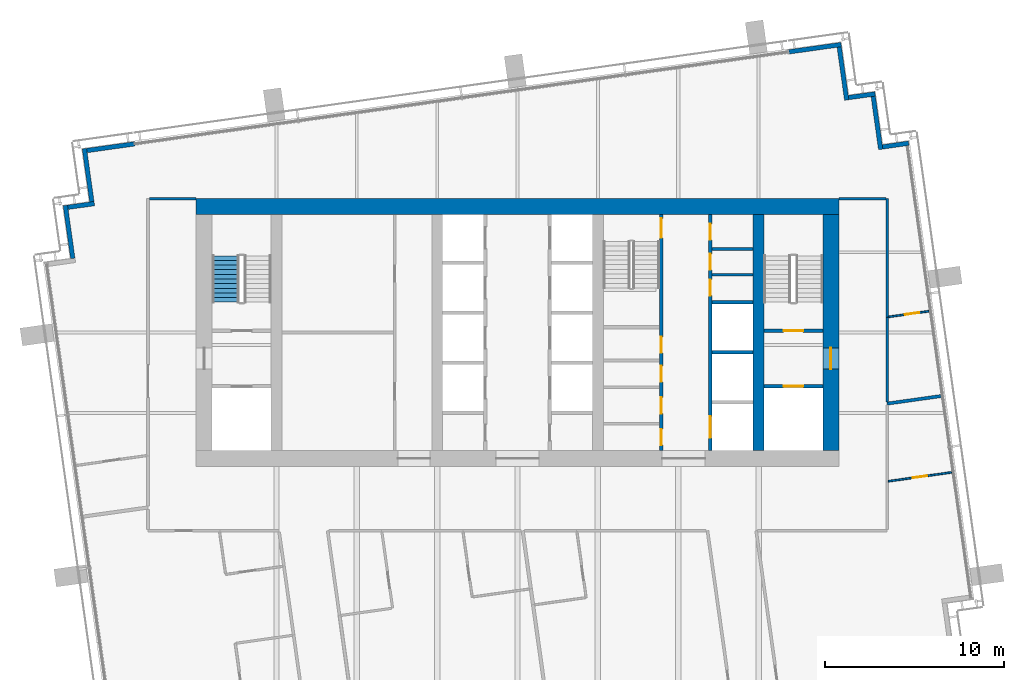
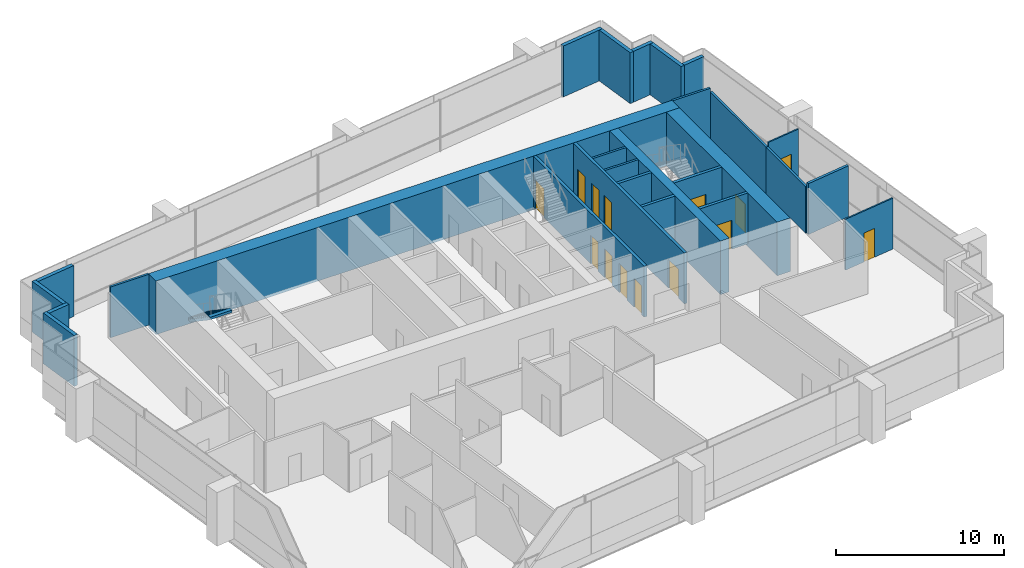
# One storey, part 10 of 15: 27 walls, 14 doors, 1 stair flight, 14 openings, 1 element without a shape of its own.
"""IFC4 building model written with IfcOpenShell, lengths in metres."""

from ifc_helpers import new_model, si_unit, direction, frame, frame_2d, origin, place, context, subcontext, project, spatial, polyline, rectangle, outline, extrude, material, layer, layer_set, type_object, element, fill, aggregate, save


model = new_model("IFC4")

# Units and contexts
model_context = context("Model", 3, precision=1e-05, world=origin(), true_north=direction((0.0, 1.0)))
body_context = subcontext(model_context, "Body", "Model", "MODEL_VIEW")
ifc_project = project(units=[si_unit("LENGTHUNIT", "METRE"), si_unit("AREAUNIT", "SQUARE_METRE"), si_unit("VOLUMEUNIT", "CUBIC_METRE"), si_unit("PLANEANGLEUNIT", "RADIAN"), si_unit("MASSUNIT", "GRAM", prefix="KILO")], contexts=[model_context])

# Site, building, storey
site_placement = place(None, origin())
site = spatial("IfcSite", under=ifc_project, at=site_placement, CompositionType="ELEMENT")
building_placement = place(site_placement, origin())
building = spatial("IfcBuilding", under=site, at=building_placement, Name="Rattan Terrace Tower", CompositionType="ELEMENT")
storey_placement = place(building_placement, frame((0.0, 0.0, 274.60009765625)))
storey = spatial("IfcBuildingStorey", under=building, at=storey_placement, Name="L63", CompositionType="ELEMENT", Elevation=274.60009765625)

# Walls
ifc_material_1 = material(Name="Gypsum board partition")
ifc_layer_1 = layer(ifc_material_1, 0.14990234375)
ifc_layer_set_1 = layer_set([ifc_layer_1], Name="Core partition 150")
wall_type_1 = type_object("IfcWallType", Name="Core partition 150", PredefinedType="PARTITIONING", material=ifc_layer_set_1)
for number, where, z_axis, x_axis, name in (
    (1, (10.89990234375, 3.239990234375, 0.0), (0.0, 0.0, 1.0), (1.0, 0.0, 0.0), "Riser room wall"),
    (2, (10.89990234375, 4.679931640625, 0.0), (0.0, 0.0, 1.0), (1.0, 0.0, 0.0), "Riser room wall"),
):
    element("IfcWall", number, at=place(storey_placement, frame(where, z_axis=z_axis, x_axis=x_axis)), inside=storey, type_object=wall_type_1, Name=name, PredefinedType="PARTITIONING", context=body_context, shape_type="SweptSolid", body=[
        extrude(rectangle(XDim=2.300048828125, YDim=0.14990234375, at=frame_2d((1.14990234375, 0.0))), origin(), (0.0, 0.0, 1.0), 3.699951171875),
    ])

# Wall, opening, door
ifc_material_2 = material(Name="Gypsum board partition")
ifc_layer_2 = layer(ifc_material_2, 0.199951171875)
ifc_layer_set_2 = layer_set([ifc_layer_2], Name="Core partition 200")
wall_type_2 = type_object("IfcWallType", Name="Core partition 200", PredefinedType="PARTITIONING", material=ifc_layer_set_2)
wall_1_placement = place(storey_placement, frame((13.800048828125, -3.0, 0.0), z_axis=(0.0, 0.0, 1.0), x_axis=(1.0, 0.0, 0.0)))
wall_1 = element("IfcWall", 3, at=wall_1_placement, inside=storey, type_object=wall_type_2, Name="Fire-fighting lobby wall", PredefinedType="PARTITIONING", context=body_context, shape_type="SweptSolid", body=[
    extrude(rectangle(XDim=3.300048828125, YDim=0.199951171875, at=frame_2d((1.64990234375, 0.0))), origin(), (0.0, 0.0, 1.0), 3.699951171875),
])
opening_1_placement = place(wall_1_placement, frame((1.10009765625, 0.0, 0.0)))
opening_1 = element("IfcOpeningElement", 4, at=opening_1_placement, cuts=wall_1, Name="Opening L63-LD-FF2", PredefinedType="OPENING", context=body_context, shape_type="SweptSolid", body=[
    extrude(rectangle(XDim=1.10009765625, YDim=2.10009765625, at=frame_2d((0.550048828125, 1.050048828125))), frame((0.0, 0.110595703125, 0.0), z_axis=(0.0, -1.0, 0.0), x_axis=(1.0, 0.0, 0.0)), (0.0, 0.0, 1.0), 0.220947265625),
])
ifc_material_3 = material(Name="Brushed stainless landing door panel")
door_type_1 = type_object("IfcDoorType", Name="Core lift landing door 1100", OperationType="DOUBLE_DOOR_SLIDING", PredefinedType="DOOR", material=ifc_material_3)
door_1_placement = place(opening_1_placement, origin())
door_1 = element("IfcDoor", 5, at=door_1_placement, inside=storey, type_object=door_type_1, Name="Door L63-LD-FF2", OperationType="DOUBLE_DOOR_SLIDING", OverallHeight=2.10009765625, OverallWidth=1.10009765625, PredefinedType="DOOR", context=body_context, shape_type="SweptSolid", body=[
    extrude(rectangle(XDim=1.10009765625, YDim=2.10009765625, at=frame_2d((0.550048828125, 1.050048828125))), frame((0.0, 0.02490234375, 0.0), z_axis=(0.0, -1.0, 0.0), x_axis=(1.0, 0.0, 0.0)), (0.0, 0.0, 1.0), 0.050048828125),
])
fill(opening_1, door_1)

wall_2_placement = place(storey_placement, frame((13.800048828125, 0.10009765625, 0.0), z_axis=(0.0, 0.0, 1.0), x_axis=(1.0, 0.0, 0.0)))
wall_2 = element("IfcWall", 6, at=wall_2_placement, inside=storey, type_object=wall_type_2, Name="Stair enclosure wall", PredefinedType="PARTITIONING", context=body_context, shape_type="SweptSolid", body=[
    extrude(rectangle(XDim=3.300048828125, YDim=0.199951171875, at=frame_2d((1.64990234375, 0.0))), origin(), (0.0, 0.0, 1.0), 3.699951171875),
])
opening_2_placement = place(wall_2_placement, frame((1.10009765625, 0.0, 0.0)))
opening_2 = element("IfcOpeningElement", 7, at=opening_2_placement, cuts=wall_2, Name="Opening L63-D004", PredefinedType="OPENING", context=body_context, shape_type="SweptSolid", body=[
    extrude(rectangle(XDim=1.10009765625, YDim=2.10009765625, at=frame_2d((0.550048828125, 1.050048828125))), frame((0.0, 0.110595703125, 0.0), z_axis=(0.0, -1.0, 0.0), x_axis=(1.0, 0.0, 0.0)), (0.0, 0.0, 1.0), 0.220947265625),
])
ifc_material_4 = material(Name="Hollow-metal fire door leaf")
door_type_2 = type_object("IfcDoorType", Name="Core stair door 1100", OperationType="NOTDEFINED", PredefinedType="DOOR", material=ifc_material_4)
door_2_placement = place(opening_2_placement, origin())
door_2 = element("IfcDoor", 8, at=door_2_placement, inside=storey, type_object=door_type_2, Name="Door L63-D004", OperationType="SINGLE_SWING_RIGHT", OverallHeight=2.10009765625, OverallWidth=1.10009765625, PredefinedType="DOOR", context=body_context, shape_type="SweptSolid", body=[
    extrude(rectangle(XDim=1.10009765625, YDim=2.10009765625, at=frame_2d((0.550048828125, 1.050048828125))), frame((0.0, 0.02490234375, 0.0), z_axis=(0.0, -1.0, 0.0), x_axis=(1.0, 0.0, 0.0)), (0.0, 0.0, 1.0), 0.050048828125),
])
fill(opening_2, door_2)

# Wall, openings, doors
wall_3_placement = place(storey_placement, frame((8.050048828125, -6.60009765625, 0.0), z_axis=(0.0, 0.0, 1.0), x_axis=(0.0, 1.0, 0.0)))
wall_3 = element("IfcWall", 9, at=wall_3_placement, inside=storey, type_object=wall_type_2, Name="Lobby wall west", PredefinedType="PARTITIONING", context=body_context, shape_type="SweptSolid", body=[
    extrude(rectangle(XDim=13.2001953125, YDim=0.199951171875, at=frame_2d((6.60009765625, 0.0))), origin(), (0.0, 0.0, 1.0), 3.699951171875),
])
opening_3_placement = place(wall_3_placement, frame((0.298095703125, 0.0, 0.0)))
opening_3 = element("IfcOpeningElement", 10, at=opening_3_placement, cuts=wall_3, Name="Opening L63-D011", PredefinedType="OPENING", context=body_context, shape_type="SweptSolid", body=[
    extrude(rectangle(XDim=0.89990234375, YDim=2.10009765625, at=frame_2d((0.449951171875, 1.050048828125))), frame((0.0, 0.110595703125, 0.0), z_axis=(0.0, -1.0, 0.0), x_axis=(1.0, 0.0, 0.0)), (0.0, 0.0, 1.0), 0.220947265625),
])
opening_4_placement = place(wall_3_placement, frame((2.06591796875, 0.0, 0.0)))
opening_4 = element("IfcOpeningElement", 11, at=opening_4_placement, cuts=wall_3, Name="Opening L63-D012", PredefinedType="OPENING", context=body_context, shape_type="SweptSolid", body=[
    extrude(rectangle(XDim=0.89990234375, YDim=2.10009765625, at=frame_2d((0.449951171875, 1.050048828125))), frame((0.0, 0.110595703125, 0.0), z_axis=(0.0, -1.0, 0.0), x_axis=(1.0, 0.0, 0.0)), (0.0, 0.0, 1.0), 0.220947265625),
])
opening_5_placement = place(wall_3_placement, frame((3.833984375, 0.0, 0.0)))
opening_5 = element("IfcOpeningElement", 12, at=opening_5_placement, cuts=wall_3, Name="Opening L63-D013", PredefinedType="OPENING", context=body_context, shape_type="SweptSolid", body=[
    extrude(rectangle(XDim=0.89990234375, YDim=2.10009765625, at=frame_2d((0.449951171875, 1.050048828125))), frame((0.0, 0.110595703125, 0.0), z_axis=(0.0, -1.0, 0.0), x_axis=(1.0, 0.0, 0.0)), (0.0, 0.0, 1.0), 0.220947265625),
])
opening_6_placement = place(wall_3_placement, frame((5.466064453125, 0.0, 0.0)))
opening_6 = element("IfcOpeningElement", 13, at=opening_6_placement, cuts=wall_3, Name="Opening L63-D014", PredefinedType="OPENING", context=body_context, shape_type="SweptSolid", body=[
    extrude(rectangle(XDim=0.89990234375, YDim=2.10009765625, at=frame_2d((0.449951171875, 1.050048828125))), frame((0.0, 0.110595703125, 0.0), z_axis=(0.0, -1.0, 0.0), x_axis=(1.0, 0.0, 0.0)), (0.0, 0.0, 1.0), 0.220947265625),
])
opening_7_placement = place(wall_3_placement, frame((11.89990234375, 0.0, 0.0)))
opening_7 = element("IfcOpeningElement", 14, at=opening_7_placement, cuts=wall_3, Name="Opening L63-D015", PredefinedType="OPENING", context=body_context, shape_type="SweptSolid", body=[
    extrude(rectangle(XDim=1.10009765625, YDim=2.10009765625, at=frame_2d((0.550048828125, 1.050048828125))), frame((0.0, 0.110595703125, 0.0), z_axis=(0.0, -1.0, 0.0), x_axis=(1.0, 0.0, 0.0)), (0.0, 0.0, 1.0), 0.220947265625),
])
ifc_material_5 = material(Name="Hollow-metal fire door leaf")
door_type_3 = type_object("IfcDoorType", Name="Core service room door 900", OperationType="NOTDEFINED", PredefinedType="DOOR", material=ifc_material_5)
door_3_placement = place(opening_6_placement, origin())
door_3 = element("IfcDoor", 15, at=door_3_placement, inside=storey, type_object=door_type_3, Name="Door L63-D014", OperationType="SINGLE_SWING_LEFT", OverallHeight=2.10009765625, OverallWidth=0.89990234375, PredefinedType="DOOR", context=body_context, shape_type="SweptSolid", body=[
    extrude(rectangle(XDim=0.89990234375, YDim=2.10009765625, at=frame_2d((0.449951171875, 1.050048828125))), frame((0.0, 0.02490234375, 0.0), z_axis=(0.0, -1.0, 0.0), x_axis=(1.0, 0.0, 0.0)), (0.0, 0.0, 1.0), 0.050048828125),
])
fill(opening_6, door_3)
door_4_placement = place(opening_7_placement, origin())
door_4 = element("IfcDoor", 16, at=door_4_placement, inside=storey, type_object=door_type_2, Name="Door L63-D015", OperationType="SINGLE_SWING_RIGHT", OverallHeight=2.10009765625, OverallWidth=1.10009765625, PredefinedType="DOOR", context=body_context, shape_type="SweptSolid", body=[
    extrude(rectangle(XDim=1.10009765625, YDim=2.10009765625, at=frame_2d((0.550048828125, 1.050048828125))), frame((0.0, 0.02490234375, 0.0), z_axis=(0.0, -1.0, 0.0), x_axis=(1.0, 0.0, 0.0)), (0.0, 0.0, 1.0), 0.050048828125),
])
fill(opening_7, door_4)
ifc_material_6 = material(Name="Hollow-metal fire door leaf")
door_type_4 = type_object("IfcDoorType", Name="Core toilet door 900", OperationType="NOTDEFINED", PredefinedType="DOOR", material=ifc_material_6)
door_5_placement = place(opening_3_placement, origin())
door_5 = element("IfcDoor", 17, at=door_5_placement, inside=storey, type_object=door_type_4, Name="Door L63-D011", OperationType="SINGLE_SWING_RIGHT", OverallHeight=2.10009765625, OverallWidth=0.89990234375, PredefinedType="DOOR", context=body_context, shape_type="SweptSolid", body=[
    extrude(rectangle(XDim=0.89990234375, YDim=2.10009765625, at=frame_2d((0.449951171875, 1.050048828125))), frame((0.0, 0.02490234375, 0.0), z_axis=(0.0, -1.0, 0.0), x_axis=(1.0, 0.0, 0.0)), (0.0, 0.0, 1.0), 0.050048828125),
])
fill(opening_3, door_5)
door_6_placement = place(opening_4_placement, origin())
door_6 = element("IfcDoor", 18, at=door_6_placement, inside=storey, type_object=door_type_4, Name="Door L63-D012", OperationType="SINGLE_SWING_LEFT", OverallHeight=2.10009765625, OverallWidth=0.89990234375, PredefinedType="DOOR", context=body_context, shape_type="SweptSolid", body=[
    extrude(rectangle(XDim=0.89990234375, YDim=2.10009765625, at=frame_2d((0.449951171875, 1.050048828125))), frame((0.0, 0.02490234375, 0.0), z_axis=(0.0, -1.0, 0.0), x_axis=(1.0, 0.0, 0.0)), (0.0, 0.0, 1.0), 0.050048828125),
])
fill(opening_4, door_6)
door_7_placement = place(opening_5_placement, origin())
door_7 = element("IfcDoor", 19, at=door_7_placement, inside=storey, type_object=door_type_4, Name="Door L63-D013", OperationType="SINGLE_SWING_RIGHT", OverallHeight=2.10009765625, OverallWidth=0.89990234375, PredefinedType="DOOR", context=body_context, shape_type="SweptSolid", body=[
    extrude(rectangle(XDim=0.89990234375, YDim=2.10009765625, at=frame_2d((0.449951171875, 1.050048828125))), frame((0.0, 0.02490234375, 0.0), z_axis=(0.0, -1.0, 0.0), x_axis=(1.0, 0.0, 0.0)), (0.0, 0.0, 1.0), 0.050048828125),
])
fill(opening_5, door_7)

# Wall
ifc_material_7 = material(Name="Concrete C50/60", Category="concrete")
ifc_layer_3 = layer(ifc_material_7, 0.89990234375)
ifc_layer_set_3 = layer_set([ifc_layer_3], Name="Core ring wall 900 C50/60")
wall_type_3 = type_object("IfcWallType", Name="Core ring wall 900 C50/60", PredefinedType="SHEAR", material=ifc_layer_set_3)
wall_4_placement = place(storey_placement, frame((-18.0, 7.050048828125, -0.2001953125), z_axis=(0.0, 0.0, 1.0), x_axis=(1.0, 0.0, 0.0)))
element("IfcWall", 20, at=wall_4_placement, inside=storey, type_object=wall_type_3, Name="Rear core wall north", PredefinedType="SHEAR", context=body_context, shape_type="SweptSolid", body=[
    extrude(rectangle(XDim=36.0, YDim=0.89990234375, at=frame_2d((18.0, 0.0))), origin(), (0.0, 0.0, 1.0), 3.900146484375),
])

# Wall, opening, door
wall_5_placement = place(storey_placement, frame((17.550048828125, -6.60009765625, -0.2001953125), z_axis=(0.0, 0.0, 1.0), x_axis=(0.0, 1.0, 0.0)))
wall_5 = element("IfcWall", 21, at=wall_5_placement, inside=storey, type_object=wall_type_3, Name="Rear core wall east", PredefinedType="SHEAR", context=body_context, shape_type="SweptSolid", body=[
    extrude(rectangle(XDim=13.2001953125, YDim=0.89990234375, at=frame_2d((6.60009765625, 0.0))), origin(), (0.0, 0.0, 1.0), 3.900146484375),
])
opening_8_placement = place(wall_5_placement, frame((4.550048828125, 0.0, 0.199951171875)))
opening_8 = element("IfcOpeningElement", 22, at=opening_8_placement, cuts=wall_5, Name="Opening L63-D003", PredefinedType="OPENING", context=body_context, shape_type="SweptSolid", body=[
    extrude(rectangle(XDim=1.199951171875, YDim=2.10009765625, at=frame_2d((0.60009765625, 1.050048828125))), frame((0.0, 0.46044921875, 0.0), z_axis=(0.0, -1.0, 0.0), x_axis=(1.0, 0.0, 0.0)), (0.0, 0.0, 1.0), 0.9208984375),
])
ifc_material_8 = material(Name="Hollow-metal fire door leaf")
door_type_5 = type_object("IfcDoorType", Name="Core fire-fighting lobby door 1200", OperationType="NOTDEFINED", PredefinedType="DOOR", material=ifc_material_8)
door_8_placement = place(opening_8_placement, origin())
door_8 = element("IfcDoor", 23, at=door_8_placement, inside=storey, type_object=door_type_5, Name="Door L63-D003", OperationType="SINGLE_SWING_LEFT", OverallHeight=2.10009765625, OverallWidth=1.199951171875, PredefinedType="DOOR", context=body_context, shape_type="SweptSolid", body=[
    extrude(rectangle(XDim=1.199951171875, YDim=2.10009765625, at=frame_2d((0.60009765625, 1.050048828125))), frame((0.0, 0.02490234375, 0.0), z_axis=(0.0, -1.0, 0.0), x_axis=(1.0, 0.0, 0.0)), (0.0, 0.0, 1.0), 0.050048828125),
])
fill(opening_8, door_8)

# Walls
ifc_material_9 = material(Name="Concrete C50/60", Category="concrete")
ifc_layer_4 = layer(ifc_material_9, 0.60009765625)
ifc_layer_set_4 = layer_set([ifc_layer_4], Name="Core spine wall 600 C50/60")
wall_type_4 = type_object("IfcWallType", Name="Core spine wall 600 C50/60", PredefinedType="SHEAR", material=ifc_layer_set_4)
wall_6_placement = place(storey_placement, frame((13.5, -6.60009765625, -0.2001953125), z_axis=(0.0, 0.0, 1.0), x_axis=(0.0, 1.0, 0.0)))
element("IfcWall", 24, at=wall_6_placement, inside=storey, type_object=wall_type_4, Name="Core spine wall 4", PredefinedType="SHEAR", context=body_context, shape_type="SweptSolid", body=[
    extrude(rectangle(XDim=13.2001953125, YDim=0.60009765625, at=frame_2d((6.60009765625, 0.0))), origin(), (0.0, 0.0, 1.0), 3.900146484375),
])
ifc_material_10 = material(Name="Insulated aluminium-clad stud wall", Category="aluminium")
ifc_layer_5 = layer(ifc_material_10, 0.25)
ifc_layer_set_5 = layer_set([ifc_layer_5], Name="Facade Riser Wall 250")
wall_type_5 = type_object("IfcWallType", Name="Facade Riser Wall 250", PredefinedType="SOLIDWALL", material=ifc_layer_set_5)
wall_7_placement = place(storey_placement, frame((21.90625, 10.60498046875, 0.0), z_axis=(0.0, 0.0, 1.0), x_axis=(-0.990235520307, -0.13940449893, 0.0)))
element("IfcWall", 25, at=wall_7_placement, inside=storey, type_object=wall_type_5, Name="Riser wall L63-6", PredefinedType="SOLIDWALL", context=body_context, shape_type="SweptSolid", body=[
    extrude(rectangle(XDim=1.474609375, YDim=0.25, at=frame_2d((0.7373046875, 0.0))), origin(), (0.0, 0.0, 1.0), 3.699951171875),
])
wall_8_placement = place(storey_placement, frame((20.33984375, 10.25830078125, 0.0), z_axis=(0.0, 0.0, 1.0), x_axis=(-0.139393225799, 0.990237107263, 0.0)))
element("IfcWall", 26, at=wall_8_placement, inside=storey, type_object=wall_type_5, Name="Riser wall L63-7", PredefinedType="SOLIDWALL", context=body_context, shape_type="SweptSolid", body=[
    extrude(rectangle(XDim=3.000244140625, YDim=0.25, at=frame_2d((1.5, 0.0))), origin(), (0.0, 0.0, 1.0), 3.699951171875),
])
wall_9_placement = place(storey_placement, frame((20.028076171875, 13.370361328125, 0.0), z_axis=(0.0, 0.0, 1.0), x_axis=(-0.990330117064, -0.138730887823, 0.0)))
element("IfcWall", 27, at=wall_9_placement, inside=storey, type_object=wall_type_5, Name="Riser wall L63-8", PredefinedType="SOLIDWALL", context=body_context, shape_type="SweptSolid", body=[
    extrude(rectangle(XDim=1.499267578125, YDim=0.25, at=frame_2d((0.74951171875, 0.0))), origin(), (0.0, 0.0, 1.0), 3.699951171875),
])
wall_10_placement = place(storey_placement, frame((18.436767578125, 13.021240234375, 0.0), z_axis=(0.0, 0.0, 1.0), x_axis=(-0.139358350296, 0.990242015975, 0.0)))
element("IfcWall", 28, at=wall_10_placement, inside=storey, type_object=wall_type_5, Name="Riser wall L63-9", PredefinedType="SOLIDWALL", context=body_context, shape_type="SweptSolid", body=[
    extrude(rectangle(XDim=2.999267578125, YDim=0.25, at=frame_2d((1.49951171875, 0.0))), origin(), (0.0, 0.0, 1.0), 3.699951171875),
])
wall_11_placement = place(storey_placement, frame((18.125244140625, 16.13232421875, 0.0), z_axis=(0.0, 0.0, 1.0), x_axis=(-0.990291981483, -0.139002846771, 0.0)))
element("IfcWall", 29, at=wall_11_placement, inside=storey, type_object=wall_type_5, Name="Riser wall L63-10", PredefinedType="SOLIDWALL", context=body_context, shape_type="SweptSolid", body=[
    extrude(rectangle(XDim=2.9541015625, YDim=0.25, at=frame_2d((1.47705078125, 0.0))), origin(), (0.0, 0.0, 1.0), 3.699951171875),
])
wall_12_placement = place(storey_placement, frame((-21.4404296875, 10.571533203125, 0.0), z_axis=(0.0, 0.0, 1.0), x_axis=(-0.990293105353, -0.138994839796, 0.0)))
element("IfcWall", 30, at=wall_12_placement, inside=storey, type_object=wall_type_5, Name="Riser wall L63-11", PredefinedType="SOLIDWALL", context=body_context, shape_type="SweptSolid", body=[
    extrude(rectangle(XDim=2.705078125, YDim=0.25, at=frame_2d((1.3525390625, 0.0))), origin(), (0.0, 0.0, 1.0), 3.699951171875),
])
wall_13_placement = place(storey_placement, frame((-24.260498046875, 10.302001953125, 0.0), z_axis=(0.0, 0.0, 1.0), x_axis=(0.138994228812, -0.990293191109, 0.0)))
element("IfcWall", 31, at=wall_13_placement, inside=storey, type_object=wall_type_5, Name="Riser wall L63-12", PredefinedType="SOLIDWALL", context=body_context, shape_type="SweptSolid", body=[
    extrude(rectangle(XDim=3.0, YDim=0.25, at=frame_2d((1.5, 0.0))), origin(), (0.0, 0.0, 1.0), 3.699951171875),
])
wall_14_placement = place(storey_placement, frame((-23.7021484375, 7.224853515625, 0.0), z_axis=(0.0, 0.0, 1.0), x_axis=(-0.990243596651, -0.13934711799, 0.0)))
element("IfcWall", 32, at=wall_14_placement, inside=storey, type_object=wall_type_5, Name="Riser wall L63-13", PredefinedType="SOLIDWALL", context=body_context, shape_type="SweptSolid", body=[
    extrude(rectangle(XDim=1.499755859375, YDim=0.25, at=frame_2d((0.75, 0.0))), origin(), (0.0, 0.0, 1.0), 3.699951171875),
])
wall_15_placement = place(storey_placement, frame((-25.328369140625, 7.1220703125, 0.0), z_axis=(0.0, 0.0, 1.0), x_axis=(0.139358350296, -0.990242015975, 0.0)))
element("IfcWall", 33, at=wall_15_placement, inside=storey, type_object=wall_type_5, Name="Riser wall L63-14", PredefinedType="SOLIDWALL", context=body_context, shape_type="SweptSolid", body=[
    extrude(rectangle(XDim=2.999267578125, YDim=0.25, at=frame_2d((1.49951171875, 0.0))), origin(), (0.0, 0.0, 1.0), 3.699951171875),
])
ifc_material_11 = material(Name="Double steel stud acoustic partition, gypsum board, mineral wool, fire rated", Category="steel")
ifc_layer_6 = layer(ifc_material_11, 0.179931640625)
ifc_layer_set_6 = layer_set([ifc_layer_6], Name="Floors Acoustic Party Wall 180")
wall_type_6 = type_object("IfcWallType", Name="Floors Acoustic Party Wall 180", PredefinedType="PARTITIONING", material=ifc_layer_set_6)
wall_16_placement = place(storey_placement, frame((20.699951171875, -3.97900390625, 0.0), z_axis=(0.0, 0.0, 1.0), x_axis=(0.990284458693, 0.139056430527, 0.0)))
element("IfcWall", 34, at=wall_16_placement, inside=storey, type_object=wall_type_6, Name="pt-L63-034", PredefinedType="PARTITIONING", context=body_context, shape_type="SweptSolid", body=[
    extrude(rectangle(XDim=3.03564453125, YDim=0.179931640625, at=frame_2d((1.517822265625, 0.0))), origin(), (0.0, 0.0, 1.0), 3.699951171875),
])

# Wall, opening, door
ifc_material_12 = material(Name="Gypsum board partition on steel studs", Category="steel")
ifc_layer_7 = layer(ifc_material_12, 0.10009765625)
ifc_layer_set_7 = layer_set([ifc_layer_7], Name="Floors Partition 100")
wall_type_7 = type_object("IfcWallType", Name="Floors Partition 100", PredefinedType="PARTITIONING", material=ifc_layer_set_7)
wall_17_placement = place(storey_placement, frame((20.76806640625, -8.327880859375, 0.0), z_axis=(0.0, 0.0, 1.0), x_axis=(0.990282917859, 0.139067403067, 0.0)))
wall_17 = element("IfcWall", 35, at=wall_17_placement, inside=storey, type_object=wall_type_7, Name="pt-L63-033", PredefinedType="PARTITIONING", context=body_context, shape_type="SweptSolid", body=[
    extrude(rectangle(XDim=3.572509765625, YDim=0.10009765625, at=frame_2d((1.7861328125, 0.0))), origin(), (0.0, 0.0, 1.0), 3.699951171875),
])
opening_9_placement = place(wall_17_placement, frame((1.386962890625, 0.0, 0.0)))
opening_9 = element("IfcOpeningElement", 36, at=opening_9_placement, cuts=wall_17, Name="Opening L63-D105", PredefinedType="OPENING", context=body_context, shape_type="SweptSolid", body=[
    extrude(rectangle(XDim=0.800048828125, YDim=2.10009765625, at=frame_2d((0.39990234375, 1.050048828125))), frame((0.0, 0.060546875, 0.0), z_axis=(0.0, -1.0, 0.0), x_axis=(1.0, 0.0, 0.0)), (0.0, 0.0, 1.0), 0.12109375),
])
ifc_material_13 = material(Name="Solid core timber door, painted", Category="wood")
door_type_6 = type_object("IfcDoorType", Name="Floors Store Door 800x2100", OperationType="NOTDEFINED", PredefinedType="DOOR", material=ifc_material_13)
door_9_placement = place(opening_9_placement, origin())
door_9 = element("IfcDoor", 37, at=door_9_placement, inside=storey, type_object=door_type_6, Name="d-L63-105", OperationType="SINGLE_SWING_RIGHT", OverallHeight=2.10009765625, OverallWidth=0.800048828125, PredefinedType="DOOR", context=body_context, shape_type="SweptSolid", body=[
    extrude(rectangle(XDim=0.800048828125, YDim=2.10009765625, at=frame_2d((0.39990234375, 1.050048828125))), frame((0.0, 0.02490234375, 0.0), z_axis=(0.0, -1.0, 0.0), x_axis=(1.0, 0.0, 0.0)), (0.0, 0.0, 1.0), 0.050048828125),
])
fill(opening_9, door_9)

wall_18_placement = place(storey_placement, frame((23.037109375, 1.196044921875, 0.0), z_axis=(0.0, 0.0, 1.0), x_axis=(-0.990256119684, -0.139258096452, 0.0)))
wall_18 = element("IfcWall", 38, at=wall_18_placement, inside=storey, type_object=wall_type_7, Name="pt-L63-036", PredefinedType="PARTITIONING", context=body_context, shape_type="SweptSolid", body=[
    extrude(rectangle(XDim=2.291259765625, YDim=0.10009765625, at=frame_2d((1.1455078125, 0.0))), origin(), (0.0, 0.0, 1.0), 3.699951171875),
])
opening_10_placement = place(wall_18_placement, frame((0.547119140625, 0.0, 0.0)))
opening_10 = element("IfcOpeningElement", 39, at=opening_10_placement, cuts=wall_18, Name="Opening L63-D108", PredefinedType="OPENING", context=body_context, shape_type="SweptSolid", body=[
    extrude(rectangle(XDim=0.800048828125, YDim=2.10009765625, at=frame_2d((0.39990234375, 1.050048828125))), frame((0.0, 0.060546875, 0.0), z_axis=(0.0, -1.0, 0.0), x_axis=(1.0, 0.0, 0.0)), (0.0, 0.0, 1.0), 0.12109375),
])
door_10_placement = place(opening_10_placement, origin())
door_10 = element("IfcDoor", 40, at=door_10_placement, inside=storey, type_object=door_type_6, Name="d-L63-108", OperationType="SINGLE_SWING_LEFT", OverallHeight=2.10009765625, OverallWidth=0.800048828125, PredefinedType="DOOR", context=body_context, shape_type="SweptSolid", body=[
    extrude(rectangle(XDim=0.800048828125, YDim=2.10009765625, at=frame_2d((0.39990234375, 1.050048828125))), frame((0.0, 0.02490234375, 0.0), z_axis=(0.0, -1.0, 0.0), x_axis=(1.0, 0.0, 0.0)), (0.0, 0.0, 1.0), 0.050048828125),
])
fill(opening_10, door_10)

# Walls
ifc_material_14 = material(Name="Gypsum board partition on steel studs, fire rated", Category="steel")
ifc_layer_8 = layer(ifc_material_14, 0.14990234375)
ifc_layer_set_8 = layer_set([ifc_layer_8], Name="Floors Tenancy Wall 150")
wall_type_8 = type_object("IfcWallType", Name="Floors Tenancy Wall 150", PredefinedType="PARTITIONING", material=ifc_layer_set_8)
for number, where, z_axis, x_axis, name in (
    (41, (-20.625, 7.5009765625, 0.0), (0.0, 0.0, 1.0), (1.0, 0.0, 0.0), "pt-L63-013"),
    (42, (18.0, 7.5009765625, 0.0), (0.0, 0.0, 1.0), (1.0, 0.0, 0.0), "pt-L63-014"),
):
    element("IfcWall", number, at=place(storey_placement, frame(where, z_axis=z_axis, x_axis=x_axis)), inside=storey, type_object=wall_type_8, Name=name, PredefinedType="PARTITIONING", context=body_context, shape_type="SweptSolid", body=[
        extrude(rectangle(XDim=2.625, YDim=0.14990234375, at=frame_2d((1.3125, 0.0))), origin(), (0.0, 0.0, 1.0), 3.699951171875),
    ])
wall_19_placement = place(storey_placement, frame((20.699951171875, 7.5, 0.0), z_axis=(0.0, 0.0, 1.0), x_axis=(0.0, -1.0, 0.0)))
element("IfcWall", 43, at=wall_19_placement, inside=storey, type_object=wall_type_8, Name="pt-L63-015", PredefinedType="PARTITIONING", context=body_context, shape_type="SweptSolid", body=[
    extrude(rectangle(XDim=6.652099609375, YDim=0.14990234375, at=frame_2d((3.326171875, 0.0))), origin(), (0.0, 0.0, 1.0), 3.39990234375),
])
wall_20_placement = place(storey_placement, frame((20.699951171875, 0.847900390625, 0.0), z_axis=(0.0, 0.0, 1.0), x_axis=(0.0, -1.0, 0.0)))
element("IfcWall", 44, at=wall_20_placement, inside=storey, type_object=wall_type_8, Name="pt-L63-017", PredefinedType="PARTITIONING", context=body_context, shape_type="SweptSolid", body=[
    extrude(rectangle(XDim=4.725830078125, YDim=0.14990234375, at=frame_2d((2.36279296875, 0.0))), origin(), (0.0, 0.0, 1.0), 3.39990234375),
])

# Wall, openings, doors
ifc_material_15 = material(Name="Gypsum shaft wall system")
ifc_layer_9 = layer(ifc_material_15, 0.199951171875)
ifc_layer_set_9 = layer_set([ifc_layer_9], Name="Lift shaft wall 200")
wall_type_9 = type_object("IfcWallType", Name="Lift shaft wall 200", PredefinedType="PARTITIONING", material=ifc_layer_set_9)
wall_21_placement = place(storey_placement, frame((10.800048828125, -6.60009765625, 0.0), z_axis=(0.0, 0.0, 1.0), x_axis=(0.0, 1.0, 0.0)))
wall_21 = element("IfcWall", 45, at=wall_21_placement, inside=storey, type_object=wall_type_9, Name="Lift shaft front wall", PredefinedType="PARTITIONING", context=body_context, shape_type="SweptSolid", body=[
    extrude(rectangle(XDim=13.2001953125, YDim=0.199951171875, at=frame_2d((6.60009765625, 0.0))), origin(), (0.0, 0.0, 1.0), 3.699951171875),
])
opening_11_placement = place(wall_21_placement, frame((0.699951171875, 0.0, 0.0)))
opening_11 = element("IfcOpeningElement", 46, at=opening_11_placement, cuts=wall_21, Name="Opening L63-LD-SV1", PredefinedType="OPENING", context=body_context, shape_type="SweptSolid", body=[
    extrude(rectangle(XDim=1.199951171875, YDim=2.10009765625, at=frame_2d((0.60009765625, 1.050048828125))), frame((0.0, 0.110595703125, 0.0), z_axis=(0.0, -1.0, 0.0), x_axis=(1.0, 0.0, 0.0)), (0.0, 0.0, 1.0), 0.220947265625),
])
opening_12_placement = place(wall_21_placement, frame((8.669921875, 0.0, 0.0)))
opening_12 = element("IfcOpeningElement", 47, at=opening_12_placement, cuts=wall_21, Name="Opening L63-D017", PredefinedType="OPENING", context=body_context, shape_type="SweptSolid", body=[
    extrude(rectangle(XDim=0.89990234375, YDim=2.10009765625, at=frame_2d((0.449951171875, 1.050048828125))), frame((0.0, 0.110595703125, 0.0), z_axis=(0.0, -1.0, 0.0), x_axis=(1.0, 0.0, 0.0)), (0.0, 0.0, 1.0), 0.220947265625),
])
opening_13_placement = place(wall_21_placement, frame((10.110107421875, 0.0, 0.0)))
opening_13 = element("IfcOpeningElement", 48, at=opening_13_placement, cuts=wall_21, Name="Opening L63-D018", PredefinedType="OPENING", context=body_context, shape_type="SweptSolid", body=[
    extrude(rectangle(XDim=0.89990234375, YDim=2.10009765625, at=frame_2d((0.449951171875, 1.050048828125))), frame((0.0, 0.110595703125, 0.0), z_axis=(0.0, -1.0, 0.0), x_axis=(1.0, 0.0, 0.0)), (0.0, 0.0, 1.0), 0.220947265625),
])
opening_14_placement = place(wall_21_placement, frame((11.7900390625, 0.0, 0.0)))
opening_14 = element("IfcOpeningElement", 49, at=opening_14_placement, cuts=wall_21, Name="Opening L63-D019", PredefinedType="OPENING", context=body_context, shape_type="SweptSolid", body=[
    extrude(rectangle(XDim=0.89990234375, YDim=2.10009765625, at=frame_2d((0.449951171875, 1.050048828125))), frame((0.0, 0.110595703125, 0.0), z_axis=(0.0, -1.0, 0.0), x_axis=(1.0, 0.0, 0.0)), (0.0, 0.0, 1.0), 0.220947265625),
])
ifc_material_16 = material(Name="Brushed stainless landing door panel")
door_type_7 = type_object("IfcDoorType", Name="Core lift landing door 1200", OperationType="DOUBLE_DOOR_SLIDING", PredefinedType="DOOR", material=ifc_material_16)
door_11_placement = place(opening_11_placement, origin())
door_11 = element("IfcDoor", 50, at=door_11_placement, inside=storey, type_object=door_type_7, Name="Door L63-LD-SV1", OperationType="DOUBLE_DOOR_SLIDING", OverallHeight=2.10009765625, OverallWidth=1.199951171875, PredefinedType="DOOR", context=body_context, shape_type="SweptSolid", body=[
    extrude(rectangle(XDim=1.199951171875, YDim=2.10009765625, at=frame_2d((0.60009765625, 1.050048828125))), frame((0.0, 0.02490234375, 0.0), z_axis=(0.0, -1.0, 0.0), x_axis=(1.0, 0.0, 0.0)), (0.0, 0.0, 1.0), 0.050048828125),
])
fill(opening_11, door_11)
ifc_material_17 = material(Name="Hollow-metal fire door leaf")
door_type_8 = type_object("IfcDoorType", Name="Core riser door 900", OperationType="NOTDEFINED", PredefinedType="DOOR", material=ifc_material_17)
door_12_placement = place(opening_12_placement, origin())
door_12 = element("IfcDoor", 51, at=door_12_placement, inside=storey, type_object=door_type_8, Name="Door L63-D017", OperationType="SINGLE_SWING_LEFT", OverallHeight=2.10009765625, OverallWidth=0.89990234375, PredefinedType="DOOR", context=body_context, shape_type="SweptSolid", body=[
    extrude(rectangle(XDim=0.89990234375, YDim=2.10009765625, at=frame_2d((0.449951171875, 1.050048828125))), frame((0.0, 0.02490234375, 0.0), z_axis=(0.0, -1.0, 0.0), x_axis=(1.0, 0.0, 0.0)), (0.0, 0.0, 1.0), 0.050048828125),
])
fill(opening_12, door_12)
door_13_placement = place(opening_13_placement, origin())
door_13 = element("IfcDoor", 52, at=door_13_placement, inside=storey, type_object=door_type_8, Name="Door L63-D018", OperationType="SINGLE_SWING_RIGHT", OverallHeight=2.10009765625, OverallWidth=0.89990234375, PredefinedType="DOOR", context=body_context, shape_type="SweptSolid", body=[
    extrude(rectangle(XDim=0.89990234375, YDim=2.10009765625, at=frame_2d((0.449951171875, 1.050048828125))), frame((0.0, 0.02490234375, 0.0), z_axis=(0.0, -1.0, 0.0), x_axis=(1.0, 0.0, 0.0)), (0.0, 0.0, 1.0), 0.050048828125),
])
fill(opening_13, door_13)
door_14_placement = place(opening_14_placement, origin())
door_14 = element("IfcDoor", 53, at=door_14_placement, inside=storey, type_object=door_type_3, Name="Door L63-D019", OperationType="SINGLE_SWING_LEFT", OverallHeight=2.10009765625, OverallWidth=0.89990234375, PredefinedType="DOOR", context=body_context, shape_type="SweptSolid", body=[
    extrude(rectangle(XDim=0.89990234375, YDim=2.10009765625, at=frame_2d((0.449951171875, 1.050048828125))), frame((0.0, 0.02490234375, 0.0), z_axis=(0.0, -1.0, 0.0), x_axis=(1.0, 0.0, 0.0)), (0.0, 0.0, 1.0), 0.050048828125),
])
fill(opening_14, door_14)

# Walls
for number, where, z_axis, x_axis, name in (
    (54, (10.89990234375, -1.10009765625, 0.0), (0.0, 0.0, 1.0), (1.0, 0.0, 0.0), "Lift shaft wall"),
    (55, (10.89990234375, 1.699951171875, 0.0), (0.0, 0.0, 1.0), (1.0, 0.0, 0.0), "Lift shaft wall"),
):
    element("IfcWall", number, at=place(storey_placement, frame(where, z_axis=z_axis, x_axis=x_axis)), inside=storey, type_object=wall_type_9, Name=name, PredefinedType="PARTITIONING", context=body_context, shape_type="SweptSolid", body=[
        extrude(rectangle(XDim=2.300048828125, YDim=0.199951171875, at=frame_2d((1.14990234375, 0.0))), origin(), (0.0, 0.0, 1.0), 3.699951171875),
    ])

# Stair, stair flight
ifc_material_18 = material(Name="Concrete C40/50", Category="concrete")
stair_type = type_object("IfcStairType", Name="Core exit stair 1500", PredefinedType="HALF_TURN_STAIR", material=ifc_material_18)
stair_placement = place(storey_placement, origin())
stair = element("IfcStair", 56, at=stair_placement, inside=storey, type_object=stair_type, Name="L63 exit stair 1", PredefinedType="HALF_TURN_STAIR")
ifc_material_19 = material(Name="Concrete C40/50", Category="concrete")
stair_flight_type = type_object("IfcStairFlightType", Name="Core exit stair flight 1500", PredefinedType="STRAIGHT", material=ifc_material_19)
stair_flight_placement = place(storey_placement, frame((-16.35009765625, 4.300048828125, 1.949951171875), z_axis=(0.0, 0.0, 1.0), x_axis=(0.0, -1.0, 0.0)))
stair_flight = element("IfcStairFlight", 57, at=stair_flight_placement, type_object=stair_flight_type, Name="S1 flight 2", NumberOfRisers=11, NumberOfTreads=10, PredefinedType="STRAIGHT", RiserHeight=0.177272727, TreadLength=0.26, context=body_context, shape_type="SweptSolid", body=[
    extrude(outline(polyline([(0.0, 0.0), (0.0, 0.17724609375), (0.260009765625, 0.17724609375), (0.260009765625, 0.3544921875), (0.52001953125, 0.3544921875), (0.52001953125, 0.53173828125), (0.780029296875, 0.53173828125), (0.780029296875, 0.708984375), (1.0400390625, 0.708984375), (1.0400390625, 0.886474609375), (1.300048828125, 0.886474609375), (1.300048828125, 1.063720703125), (1.56005859375, 1.063720703125), (1.56005859375, 1.240966796875), (1.820068359375, 1.240966796875), (1.820068359375, 1.418212890625), (2.080078125, 1.418212890625), (2.080078125, 1.595458984375), (2.340087890625, 1.595458984375), (2.340087890625, 1.772705078125), (2.60009765625, 1.772705078125), (2.60009765625, 1.949951171875), (2.60009765625, 1.59130859375), (0.26611328125, 0.0), (0.0, 0.0)])), frame((0.0, 0.75, 0.0), z_axis=(0.0, -1.0, 0.0), x_axis=(1.0, 0.0, 0.0)), (0.0, 0.0, 1.0), 1.5),
])
aggregate(stair, [stair_flight])

save(model, "model.ifc")
